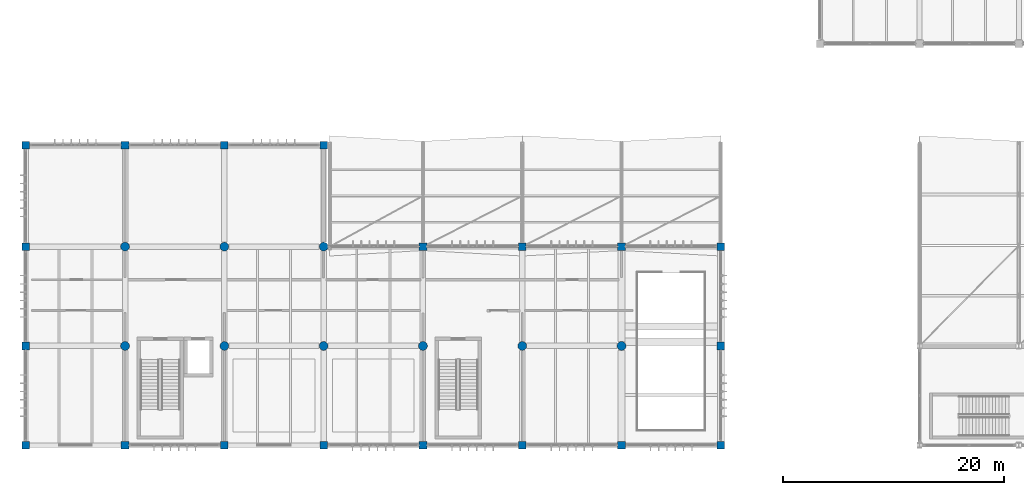
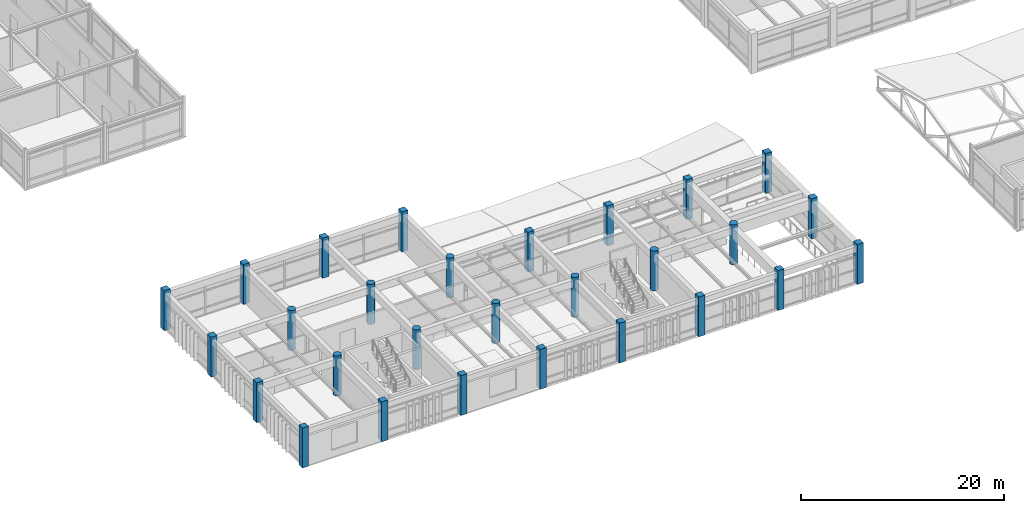
# One storey, part 1 of 90: 28 columns.
"""IFC4 building model written with IfcOpenShell, lengths in metres."""

from ifc_helpers import new_model, si_unit, direction, frame, origin, origin_2d, place, context, subcontext, project, spatial, rectangle, circle, extrude, material, material_profile, profile_set, type_object, element, save


model = new_model("IFC4")

# Units and contexts
model_context = context("Model", 3, precision=1e-05, world=origin(), true_north=direction((0.0, 1.0)))
body_context = subcontext(model_context, "Body", "Model", "MODEL_VIEW")
ifc_project = project(units=[si_unit("LENGTHUNIT", "METRE"), si_unit("AREAUNIT", "SQUARE_METRE"), si_unit("VOLUMEUNIT", "CUBIC_METRE"), si_unit("PLANEANGLEUNIT", "RADIAN"), si_unit("MASSUNIT", "GRAM", prefix="KILO")], contexts=[model_context])

# Site, building, storey
site_placement = place(None, origin())
site = spatial("IfcSite", under=ifc_project, at=site_placement, CompositionType="ELEMENT")
building_placement = place(site_placement, origin())
building = spatial("IfcBuilding", under=site, at=building_placement, Name="Bozkorgan Art Gallery", CompositionType="ELEMENT")
storey_placement = place(building_placement, frame((0.0, 0.0, 5.39990234375)))
storey = spatial("IfcBuildingStorey", under=building, at=storey_placement, Name="L01", CompositionType="ELEMENT", Elevation=5.39990234375)

# Columns
ifc_material = material(Name="Concrete C40/50", Category="concrete")
ifc_material_profile_1 = material_profile(ifc_material, circle(Radius=0.39990234375, at=origin_2d()), Name="RC D800")
ifc_profile_set_1 = profile_set([ifc_material_profile_1], Name="Concrete C40/50")
column_type_1 = type_object("IfcColumnType", Name="COLUMN-C-60", PredefinedType="COLUMN", material=ifc_profile_set_1)
for number, where, z_axis, x_axis, name in (
    (1, (11.0, 11.0, 0.0), (0.0, 0.0, 1.0), (1.0, 0.0, 0.0), "V1 L01 column (11.0, 11.0)"),
    (2, (11.0, 20.0, 0.0), (0.0, 0.0, 1.0), (1.0, 0.0, 0.0), "V1 L01 column (11.0, 20.0)"),
    (3, (20.0, 11.0, 0.0), (0.0, 0.0, 1.0), (1.0, 0.0, 0.0), "V1 L01 column (20.0, 11.0)"),
    (4, (20.0, 20.0, 0.0), (0.0, 0.0, 1.0), (1.0, 0.0, 0.0), "V1 L01 column (20.0, 20.0)"),
    (5, (29.0, 11.0, 0.0), (0.0, 0.0, 1.0), (1.0, 0.0, 0.0), "V1 L01 column (29.0, 11.0)"),
    (6, (29.0, 20.0, 0.0), (0.0, 0.0, 1.0), (1.0, 0.0, 0.0), "V1 L01 column (29.0, 20.0)"),
    (7, (38.0, 11.0, 0.0), (0.0, 0.0, 1.0), (1.0, 0.0, 0.0), "V1 L01 column (38.0, 11.0)"),
    (8, (47.0, 11.0, 0.0), (0.0, 0.0, 1.0), (1.0, 0.0, 0.0), "V1 L01 column (47.0, 11.0)"),
    (9, (56.0, 11.0, 0.0), (0.0, 0.0, 1.0), (1.0, 0.0, 0.0), "V1 L01 column (56.0, 11.0)"),
):
    element("IfcColumn", number, at=place(storey_placement, frame(where, z_axis=z_axis, x_axis=x_axis)), inside=storey, type_object=column_type_1, Name=name, PredefinedType="COLUMN", context=body_context, shape_type="SweptSolid", body=[
        extrude(circle(Radius=0.39990234375, at=origin_2d()), origin(), (0.0, 0.0, 1.0), 4.800048828125),
    ])
ifc_material_profile_2 = material_profile(ifc_material, rectangle(XDim=0.699951171875, YDim=0.699951171875, at=origin_2d()), Name="RC 700x700")
ifc_profile_set_2 = profile_set([ifc_material_profile_2], Name="Concrete C40/50")
column_type_2 = type_object("IfcColumnType", Name="COLUMN-C-73", PredefinedType="COLUMN", material=ifc_profile_set_2)
for number, where, z_axis, x_axis, name in (
    (10, (2.0, 2.0, 0.0), (0.0, 0.0, 1.0), (1.0, 0.0, 0.0), "V1 L01 column (2.0, 2.0)"),
    (11, (2.0, 11.0, 0.0), (0.0, 0.0, 1.0), (1.0, 0.0, 0.0), "V1 L01 column (2.0, 11.0)"),
    (12, (2.0, 20.0, 0.0), (0.0, 0.0, 1.0), (1.0, 0.0, 0.0), "V1 L01 column (2.0, 20.0)"),
    (13, (2.0, 29.199951171875, 0.0), (0.0, 0.0, 1.0), (1.0, 0.0, 0.0), "V1 L01 column (2.0, 29.2)"),
    (14, (11.0, 2.0, 0.0), (0.0, 0.0, 1.0), (1.0, 0.0, 0.0), "V1 L01 column (11.0, 2.0)"),
    (15, (11.0, 29.199951171875, 0.0), (0.0, 0.0, 1.0), (1.0, 0.0, 0.0), "V1 L01 column (11.0, 29.2)"),
    (16, (20.0, 2.0, 0.0), (0.0, 0.0, 1.0), (1.0, 0.0, 0.0), "V1 L01 column (20.0, 2.0)"),
    (17, (20.0, 29.199951171875, 0.0), (0.0, 0.0, 1.0), (1.0, 0.0, 0.0), "V1 L01 column (20.0, 29.2)"),
    (18, (29.0, 2.0, 0.0), (0.0, 0.0, 1.0), (1.0, 0.0, 0.0), "V1 L01 column (29.0, 2.0)"),
    (19, (29.0, 29.199951171875, 0.0), (0.0, 0.0, 1.0), (1.0, 0.0, 0.0), "V1 L01 column (29.0, 29.2)"),
    (20, (38.0, 2.0, 0.0), (0.0, 0.0, 1.0), (1.0, 0.0, 0.0), "V1 L01 column (38.0, 2.0)"),
    (21, (38.0, 20.0, 0.0), (0.0, 0.0, 1.0), (1.0, 0.0, 0.0), "V1 L01 column (38.0, 20.0)"),
    (22, (47.0, 2.0, 0.0), (0.0, 0.0, 1.0), (1.0, 0.0, 0.0), "V1 L01 column (47.0, 2.0)"),
    (23, (47.0, 20.0, 0.0), (0.0, 0.0, 1.0), (1.0, 0.0, 0.0), "V1 L01 column (47.0, 20.0)"),
    (24, (56.0, 2.0, 0.0), (0.0, 0.0, 1.0), (1.0, 0.0, 0.0), "V1 L01 column (56.0, 2.0)"),
    (25, (56.0, 20.0, 0.0), (0.0, 0.0, 1.0), (1.0, 0.0, 0.0), "V1 L01 column (56.0, 20.0)"),
    (26, (65.0, 2.0, 0.0), (0.0, 0.0, 1.0), (1.0, 0.0, 0.0), "V1 L01 column (65.0, 2.0)"),
    (27, (65.0, 11.0, 0.0), (0.0, 0.0, 1.0), (1.0, 0.0, 0.0), "V1 L01 column (65.0, 11.0)"),
    (28, (65.0, 20.0, 0.0), (0.0, 0.0, 1.0), (1.0, 0.0, 0.0), "V1 L01 column (65.0, 20.0)"),
):
    element("IfcColumn", number, at=place(storey_placement, frame(where, z_axis=z_axis, x_axis=x_axis)), inside=storey, type_object=column_type_2, Name=name, PredefinedType="COLUMN", context=body_context, shape_type="SweptSolid", body=[
        extrude(rectangle(XDim=0.699951171875, YDim=0.699951171875, at=origin_2d()), origin(), (0.0, 0.0, 1.0), 4.800048828125),
    ])

save(model, "model.ifc")
